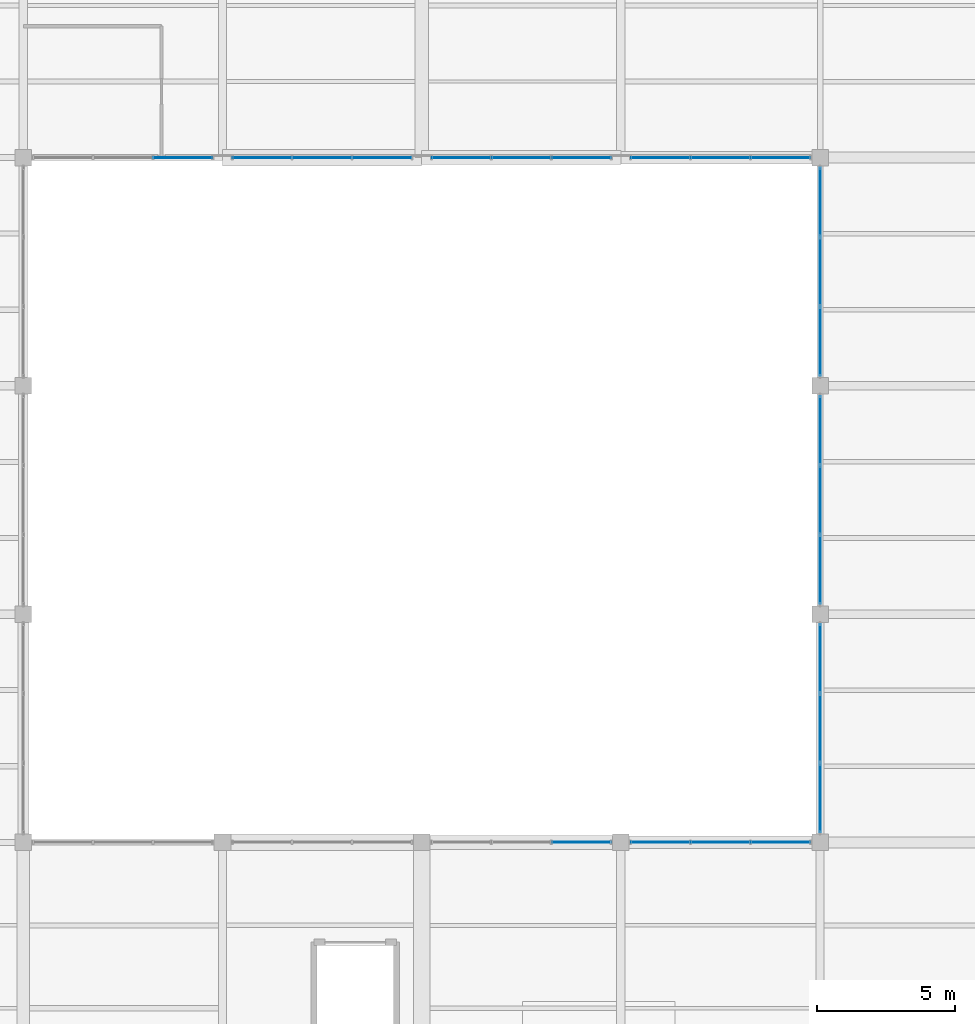
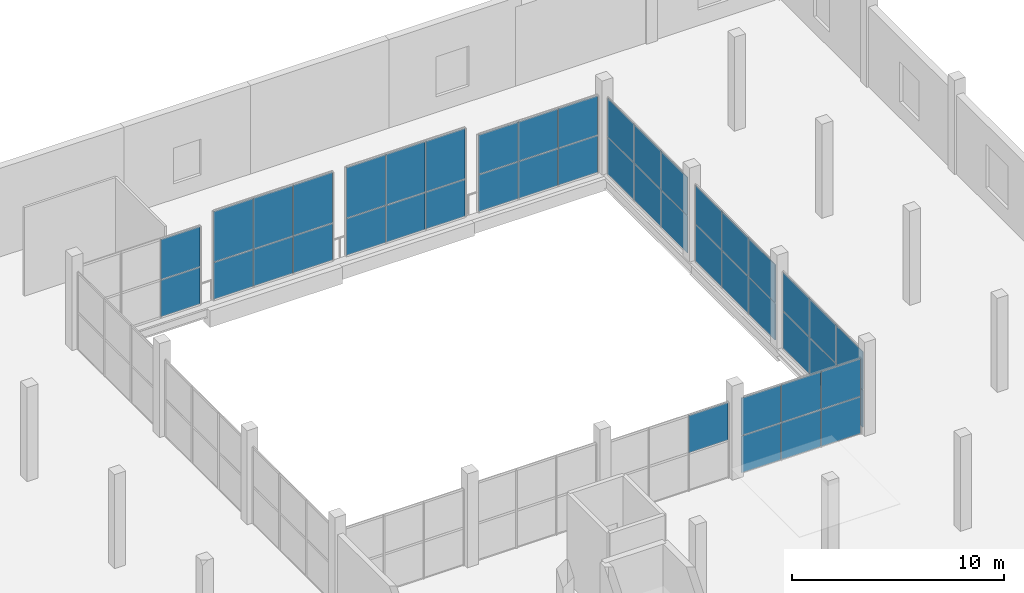
# One storey, part 105 of 141: 45 plates, 9 elements without a shape of their own.
"""IFC4 building model written with IfcOpenShell, lengths in metres."""

from ifc_helpers import new_model, si_unit, direction, frame, origin, origin_2d, place, context, subcontext, project, spatial, rectangle, extrude, material, layer, layer_set, type_object, element, aggregate, save


model = new_model("IFC4")

# Units and contexts
model_context = context("Model", 3, precision=1e-05, world=origin(), true_north=direction((0.0, 1.0)))
body_context = subcontext(model_context, "Body", "Model", "MODEL_VIEW")
ifc_project = project(units=[si_unit("LENGTHUNIT", "METRE"), si_unit("AREAUNIT", "SQUARE_METRE"), si_unit("VOLUMEUNIT", "CUBIC_METRE"), si_unit("PLANEANGLEUNIT", "RADIAN"), si_unit("MASSUNIT", "GRAM", prefix="KILO")], contexts=[model_context])

# Site, building, storey
site_placement = place(None, origin())
site = spatial("IfcSite", under=ifc_project, at=site_placement, CompositionType="ELEMENT")
building_placement = place(site_placement, origin())
building = spatial("IfcBuilding", under=site, at=building_placement, Name="Sundgate Opera House", CompositionType="ELEMENT")
storey_placement = place(building_placement, frame((0.0, 0.0, 11.39990234375)))
storey = spatial("IfcBuildingStorey", under=building, at=storey_placement, Name="L02", CompositionType="ELEMENT", Elevation=11.39990234375)

# Curtain wall, plates
ifc_material_1 = material(Name="Anodized aluminium and low-iron glass", Category="aluminium")
ifc_layer_1 = layer(ifc_material_1, 0.159912109375)
ifc_layer_set_1 = layer_set([ifc_layer_1], Name="Anodized aluminium and low-iron glass")
curtain_wall_type = type_object("IfcCurtainWallType", Name="CW-STUDIO-DARK", PredefinedType="NOTDEFINED", material=ifc_layer_set_1)
curtain_wall_1_placement = place(storey_placement, origin())
curtain_wall_1 = element("IfcCurtainWall", 1, at=curtain_wall_1_placement, inside=storey, type_object=curtain_wall_type, Name="L02 Curtain Wall CW109", PredefinedType="NOTDEFINED")
ifc_material_2 = material(Name="Low-iron triple acoustic glazing", Category="glass")
ifc_layer_2 = layer(ifc_material_2, 0.035888671875)
ifc_layer_set_2 = layer_set([ifc_layer_2], Name="Low-iron triple acoustic glazing")
plate_type = type_object("IfcPlateType", Name="CWP-CLEAR-36", PredefinedType="CURTAIN_PANEL", material=ifc_layer_set_2)
plate_1_placement = place(storey_placement, frame((129.966552734375, 111.75, 0.02001953125), z_axis=(0.0, 0.0, 1.0), x_axis=(-1.0, 0.0, 0.0)))
plate_1 = element("IfcPlate", 2, at=plate_1_placement, type_object=plate_type, Name="CW109 Panel 1", PredefinedType="CURTAIN_PANEL", context=body_context, shape_type="SweptSolid", body=[
    extrude(rectangle(XDim=2.126708984375, YDim=0.035888671875, at=origin_2d()), origin(), (0.0, 0.0, 1.0), 2.110107421875),
])
plate_2_placement = place(storey_placement, frame((129.966552734375, 111.75, 2.170166015625), z_axis=(0.0, 0.0, 1.0), x_axis=(-1.0, 0.0, 0.0)))
plate_2 = element("IfcPlate", 3, at=plate_2_placement, type_object=plate_type, Name="CW109 Panel 2", PredefinedType="CURTAIN_PANEL", context=body_context, shape_type="SweptSolid", body=[
    extrude(rectangle(XDim=2.126708984375, YDim=0.035888671875, at=origin_2d()), origin(), (0.0, 0.0, 1.0), 2.294921875),
])
aggregate(curtain_wall_1, [plate_1, plate_2])

curtain_wall_2_placement = place(storey_placement, origin())
curtain_wall_2 = element("IfcCurtainWall", 4, at=curtain_wall_2_placement, inside=storey, type_object=curtain_wall_type, Name="L02 Curtain Wall CW111", PredefinedType="NOTDEFINED")
plate_3_placement = place(storey_placement, frame((137.166748046875, 111.75, 0.02001953125), z_axis=(0.0, 0.0, 1.0), x_axis=(-1.0, 0.0, 0.0)))
plate_3 = element("IfcPlate", 5, at=plate_3_placement, type_object=plate_type, Name="CW111 Panel 1", PredefinedType="CURTAIN_PANEL", context=body_context, shape_type="SweptSolid", body=[
    extrude(rectangle(XDim=2.126708984375, YDim=0.035888671875, at=origin_2d()), origin(), (0.0, 0.0, 1.0), 2.110107421875),
])
plate_4_placement = place(storey_placement, frame((137.166748046875, 111.75, 2.170166015625), z_axis=(0.0, 0.0, 1.0), x_axis=(-1.0, 0.0, 0.0)))
plate_4 = element("IfcPlate", 6, at=plate_4_placement, type_object=plate_type, Name="CW111 Panel 2", PredefinedType="CURTAIN_PANEL", context=body_context, shape_type="SweptSolid", body=[
    extrude(rectangle(XDim=2.126708984375, YDim=0.035888671875, at=origin_2d()), origin(), (0.0, 0.0, 1.0), 2.89501953125),
])
plate_5_placement = place(storey_placement, frame((135.0, 111.75, 0.02001953125), z_axis=(0.0, 0.0, 1.0), x_axis=(-1.0, 0.0, 0.0)))
plate_5 = element("IfcPlate", 7, at=plate_5_placement, type_object=plate_type, Name="CW111 Panel 3", PredefinedType="CURTAIN_PANEL", context=body_context, shape_type="SweptSolid", body=[
    extrude(rectangle(XDim=2.126708984375, YDim=0.035888671875, at=origin_2d()), origin(), (0.0, 0.0, 1.0), 2.110107421875),
])
plate_6_placement = place(storey_placement, frame((135.0, 111.75, 2.170166015625), z_axis=(0.0, 0.0, 1.0), x_axis=(-1.0, 0.0, 0.0)))
plate_6 = element("IfcPlate", 8, at=plate_6_placement, type_object=plate_type, Name="CW111 Panel 4", PredefinedType="CURTAIN_PANEL", context=body_context, shape_type="SweptSolid", body=[
    extrude(rectangle(XDim=2.126708984375, YDim=0.035888671875, at=origin_2d()), origin(), (0.0, 0.0, 1.0), 2.89501953125),
])
plate_7_placement = place(storey_placement, frame((132.833251953125, 111.75, 0.02001953125), z_axis=(0.0, 0.0, 1.0), x_axis=(-1.0, 0.0, 0.0)))
plate_7 = element("IfcPlate", 9, at=plate_7_placement, type_object=plate_type, Name="CW111 Panel 5", PredefinedType="CURTAIN_PANEL", context=body_context, shape_type="SweptSolid", body=[
    extrude(rectangle(XDim=2.126708984375, YDim=0.035888671875, at=origin_2d()), origin(), (0.0, 0.0, 1.0), 2.110107421875),
])
plate_8_placement = place(storey_placement, frame((132.833251953125, 111.75, 2.170166015625), z_axis=(0.0, 0.0, 1.0), x_axis=(-1.0, 0.0, 0.0)))
plate_8 = element("IfcPlate", 10, at=plate_8_placement, type_object=plate_type, Name="CW111 Panel 6", PredefinedType="CURTAIN_PANEL", context=body_context, shape_type="SweptSolid", body=[
    extrude(rectangle(XDim=2.126708984375, YDim=0.035888671875, at=origin_2d()), origin(), (0.0, 0.0, 1.0), 2.89501953125),
])
aggregate(curtain_wall_2, [plate_3, plate_4, plate_5, plate_6, plate_7, plate_8])

# Curtain wall, plate
curtain_wall_3_placement = place(storey_placement, origin())
curtain_wall_3 = element("IfcCurtainWall", 11, at=curtain_wall_3_placement, inside=storey, type_object=curtain_wall_type, Name="L02 Curtain Wall CW112", PredefinedType="NOTDEFINED")
plate_9_placement = place(storey_placement, frame((144.36669921875, 87.0, 2.170166015625), z_axis=(0.0, 0.0, 1.0), x_axis=(1.0, 0.0, 0.0)))
plate_9 = element("IfcPlate", 12, at=plate_9_placement, type_object=plate_type, Name="CW112 Panel 6", PredefinedType="CURTAIN_PANEL", context=body_context, shape_type="SweptSolid", body=[
    extrude(rectangle(XDim=2.126708984375, YDim=0.035888671875, at=origin_2d()), origin(), (0.0, 0.0, 1.0), 2.14501953125),
])
aggregate(curtain_wall_3, [plate_9])

# Curtain wall, plates
curtain_wall_4_placement = place(storey_placement, origin())
curtain_wall_4 = element("IfcCurtainWall", 13, at=curtain_wall_4_placement, inside=storey, type_object=curtain_wall_type, Name="L02 Curtain Wall CW113", PredefinedType="NOTDEFINED")
plate_10_placement = place(storey_placement, frame((144.36669921875, 111.75, 0.02001953125), z_axis=(0.0, 0.0, 1.0), x_axis=(-1.0, 0.0, 0.0)))
plate_10 = element("IfcPlate", 14, at=plate_10_placement, type_object=plate_type, Name="CW113 Panel 1", PredefinedType="CURTAIN_PANEL", context=body_context, shape_type="SweptSolid", body=[
    extrude(rectangle(XDim=2.126708984375, YDim=0.035888671875, at=origin_2d()), origin(), (0.0, 0.0, 1.0), 2.110107421875),
])
plate_11_placement = place(storey_placement, frame((144.36669921875, 111.75, 2.170166015625), z_axis=(0.0, 0.0, 1.0), x_axis=(-1.0, 0.0, 0.0)))
plate_11 = element("IfcPlate", 15, at=plate_11_placement, type_object=plate_type, Name="CW113 Panel 2", PredefinedType="CURTAIN_PANEL", context=body_context, shape_type="SweptSolid", body=[
    extrude(rectangle(XDim=2.126708984375, YDim=0.035888671875, at=origin_2d()), origin(), (0.0, 0.0, 1.0), 2.89501953125),
])
plate_12_placement = place(storey_placement, frame((142.199951171875, 111.75, 0.02001953125), z_axis=(0.0, 0.0, 1.0), x_axis=(-1.0, 0.0, 0.0)))
plate_12 = element("IfcPlate", 16, at=plate_12_placement, type_object=plate_type, Name="CW113 Panel 3", PredefinedType="CURTAIN_PANEL", context=body_context, shape_type="SweptSolid", body=[
    extrude(rectangle(XDim=2.126708984375, YDim=0.035888671875, at=origin_2d()), origin(), (0.0, 0.0, 1.0), 2.110107421875),
])
plate_13_placement = place(storey_placement, frame((142.199951171875, 111.75, 2.170166015625), z_axis=(0.0, 0.0, 1.0), x_axis=(-1.0, 0.0, 0.0)))
plate_13 = element("IfcPlate", 17, at=plate_13_placement, type_object=plate_type, Name="CW113 Panel 4", PredefinedType="CURTAIN_PANEL", context=body_context, shape_type="SweptSolid", body=[
    extrude(rectangle(XDim=2.126708984375, YDim=0.035888671875, at=origin_2d()), origin(), (0.0, 0.0, 1.0), 2.89501953125),
])
plate_14_placement = place(storey_placement, frame((140.033447265625, 111.75, 0.02001953125), z_axis=(0.0, 0.0, 1.0), x_axis=(-1.0, 0.0, 0.0)))
plate_14 = element("IfcPlate", 18, at=plate_14_placement, type_object=plate_type, Name="CW113 Panel 5", PredefinedType="CURTAIN_PANEL", context=body_context, shape_type="SweptSolid", body=[
    extrude(rectangle(XDim=2.126708984375, YDim=0.035888671875, at=origin_2d()), origin(), (0.0, 0.0, 1.0), 2.110107421875),
])
plate_15_placement = place(storey_placement, frame((140.033447265625, 111.75, 2.170166015625), z_axis=(0.0, 0.0, 1.0), x_axis=(-1.0, 0.0, 0.0)))
plate_15 = element("IfcPlate", 19, at=plate_15_placement, type_object=plate_type, Name="CW113 Panel 6", PredefinedType="CURTAIN_PANEL", context=body_context, shape_type="SweptSolid", body=[
    extrude(rectangle(XDim=2.126708984375, YDim=0.035888671875, at=origin_2d()), origin(), (0.0, 0.0, 1.0), 2.89501953125),
])
aggregate(curtain_wall_4, [plate_10, plate_11, plate_12, plate_13, plate_14, plate_15])

curtain_wall_5_placement = place(storey_placement, origin())
curtain_wall_5 = element("IfcCurtainWall", 20, at=curtain_wall_5_placement, inside=storey, type_object=curtain_wall_type, Name="L02 Curtain Wall CW114", PredefinedType="NOTDEFINED")
plate_16_placement = place(storey_placement, frame((147.2333984375, 87.0, 0.02001953125), z_axis=(0.0, 0.0, 1.0), x_axis=(1.0, 0.0, 0.0)))
plate_16 = element("IfcPlate", 21, at=plate_16_placement, type_object=plate_type, Name="CW114 Panel 1", PredefinedType="CURTAIN_PANEL", context=body_context, shape_type="SweptSolid", body=[
    extrude(rectangle(XDim=2.126708984375, YDim=0.035888671875, at=origin_2d()), origin(), (0.0, 0.0, 1.0), 2.110107421875),
])
plate_17_placement = place(storey_placement, frame((147.2333984375, 87.0, 2.170166015625), z_axis=(0.0, 0.0, 1.0), x_axis=(1.0, 0.0, 0.0)))
plate_17 = element("IfcPlate", 22, at=plate_17_placement, type_object=plate_type, Name="CW114 Panel 2", PredefinedType="CURTAIN_PANEL", context=body_context, shape_type="SweptSolid", body=[
    extrude(rectangle(XDim=2.126708984375, YDim=0.035888671875, at=origin_2d()), origin(), (0.0, 0.0, 1.0), 2.14501953125),
])
plate_18_placement = place(storey_placement, frame((149.39990234375, 87.0, 0.02001953125), z_axis=(0.0, 0.0, 1.0), x_axis=(1.0, 0.0, 0.0)))
plate_18 = element("IfcPlate", 23, at=plate_18_placement, type_object=plate_type, Name="CW114 Panel 3", PredefinedType="CURTAIN_PANEL", context=body_context, shape_type="SweptSolid", body=[
    extrude(rectangle(XDim=2.126708984375, YDim=0.035888671875, at=origin_2d()), origin(), (0.0, 0.0, 1.0), 2.110107421875),
])
plate_19_placement = place(storey_placement, frame((149.39990234375, 87.0, 2.170166015625), z_axis=(0.0, 0.0, 1.0), x_axis=(1.0, 0.0, 0.0)))
plate_19 = element("IfcPlate", 24, at=plate_19_placement, type_object=plate_type, Name="CW114 Panel 4", PredefinedType="CURTAIN_PANEL", context=body_context, shape_type="SweptSolid", body=[
    extrude(rectangle(XDim=2.126708984375, YDim=0.035888671875, at=origin_2d()), origin(), (0.0, 0.0, 1.0), 2.14501953125),
])
plate_20_placement = place(storey_placement, frame((151.566650390625, 87.0, 0.02001953125), z_axis=(0.0, 0.0, 1.0), x_axis=(1.0, 0.0, 0.0)))
plate_20 = element("IfcPlate", 25, at=plate_20_placement, type_object=plate_type, Name="CW114 Panel 5", PredefinedType="CURTAIN_PANEL", context=body_context, shape_type="SweptSolid", body=[
    extrude(rectangle(XDim=2.126708984375, YDim=0.035888671875, at=origin_2d()), origin(), (0.0, 0.0, 1.0), 2.110107421875),
])
plate_21_placement = place(storey_placement, frame((151.566650390625, 87.0, 2.170166015625), z_axis=(0.0, 0.0, 1.0), x_axis=(1.0, 0.0, 0.0)))
plate_21 = element("IfcPlate", 26, at=plate_21_placement, type_object=plate_type, Name="CW114 Panel 6", PredefinedType="CURTAIN_PANEL", context=body_context, shape_type="SweptSolid", body=[
    extrude(rectangle(XDim=2.126708984375, YDim=0.035888671875, at=origin_2d()), origin(), (0.0, 0.0, 1.0), 2.14501953125),
])
aggregate(curtain_wall_5, [plate_16, plate_17, plate_18, plate_19, plate_20, plate_21])

curtain_wall_6_placement = place(storey_placement, origin())
curtain_wall_6 = element("IfcCurtainWall", 27, at=curtain_wall_6_placement, inside=storey, type_object=curtain_wall_type, Name="L02 Curtain Wall CW115", PredefinedType="NOTDEFINED")
plate_22_placement = place(storey_placement, frame((151.566650390625, 111.75, 0.02001953125), z_axis=(0.0, 0.0, 1.0), x_axis=(-1.0, 0.0, 0.0)))
plate_22 = element("IfcPlate", 28, at=plate_22_placement, type_object=plate_type, Name="CW115 Panel 1", PredefinedType="CURTAIN_PANEL", context=body_context, shape_type="SweptSolid", body=[
    extrude(rectangle(XDim=2.126708984375, YDim=0.035888671875, at=origin_2d()), origin(), (0.0, 0.0, 1.0), 2.110107421875),
])
plate_23_placement = place(storey_placement, frame((151.566650390625, 111.75, 2.169921875), z_axis=(0.0, 0.0, 1.0), x_axis=(-1.0, 0.0, 0.0)))
plate_23 = element("IfcPlate", 29, at=plate_23_placement, type_object=plate_type, Name="CW115 Panel 2", PredefinedType="CURTAIN_PANEL", context=body_context, shape_type="SweptSolid", body=[
    extrude(rectangle(XDim=2.126708984375, YDim=0.035888671875, at=origin_2d()), origin(), (0.0, 0.0, 1.0), 2.2451171875),
])
plate_24_placement = place(storey_placement, frame((149.39990234375, 111.75, 0.02001953125), z_axis=(0.0, 0.0, 1.0), x_axis=(-1.0, 0.0, 0.0)))
plate_24 = element("IfcPlate", 30, at=plate_24_placement, type_object=plate_type, Name="CW115 Panel 3", PredefinedType="CURTAIN_PANEL", context=body_context, shape_type="SweptSolid", body=[
    extrude(rectangle(XDim=2.126708984375, YDim=0.035888671875, at=origin_2d()), origin(), (0.0, 0.0, 1.0), 2.110107421875),
])
plate_25_placement = place(storey_placement, frame((149.39990234375, 111.75, 2.169921875), z_axis=(0.0, 0.0, 1.0), x_axis=(-1.0, 0.0, 0.0)))
plate_25 = element("IfcPlate", 31, at=plate_25_placement, type_object=plate_type, Name="CW115 Panel 4", PredefinedType="CURTAIN_PANEL", context=body_context, shape_type="SweptSolid", body=[
    extrude(rectangle(XDim=2.126708984375, YDim=0.035888671875, at=origin_2d()), origin(), (0.0, 0.0, 1.0), 2.2451171875),
])
plate_26_placement = place(storey_placement, frame((147.2333984375, 111.75, 0.02001953125), z_axis=(0.0, 0.0, 1.0), x_axis=(-1.0, 0.0, 0.0)))
plate_26 = element("IfcPlate", 32, at=plate_26_placement, type_object=plate_type, Name="CW115 Panel 5", PredefinedType="CURTAIN_PANEL", context=body_context, shape_type="SweptSolid", body=[
    extrude(rectangle(XDim=2.126708984375, YDim=0.035888671875, at=origin_2d()), origin(), (0.0, 0.0, 1.0), 2.110107421875),
])
plate_27_placement = place(storey_placement, frame((147.2333984375, 111.75, 2.169921875), z_axis=(0.0, 0.0, 1.0), x_axis=(-1.0, 0.0, 0.0)))
plate_27 = element("IfcPlate", 33, at=plate_27_placement, type_object=plate_type, Name="CW115 Panel 6", PredefinedType="CURTAIN_PANEL", context=body_context, shape_type="SweptSolid", body=[
    extrude(rectangle(XDim=2.126708984375, YDim=0.035888671875, at=origin_2d()), origin(), (0.0, 0.0, 1.0), 2.2451171875),
])
aggregate(curtain_wall_6, [plate_22, plate_23, plate_24, plate_25, plate_26, plate_27])

curtain_wall_7_placement = place(storey_placement, origin())
curtain_wall_7 = element("IfcCurtainWall", 34, at=curtain_wall_7_placement, inside=storey, type_object=curtain_wall_type, Name="L02 Curtain Wall CW117", PredefinedType="NOTDEFINED")
plate_28_placement = place(storey_placement, frame((153.0, 93.6416015625, 0.02001953125), z_axis=(0.0, 0.0, 1.0), x_axis=(0.0, -1.0, 0.0)))
plate_28 = element("IfcPlate", 35, at=plate_28_placement, type_object=plate_type, Name="CW117 Panel 1", PredefinedType="CURTAIN_PANEL", context=body_context, shape_type="SweptSolid", body=[
    extrude(rectangle(XDim=2.4765625, YDim=0.035888671875, at=origin_2d()), origin(), (0.0, 0.0, 1.0), 2.110107421875),
])
plate_29_placement = place(storey_placement, frame((153.0, 93.6416015625, 2.169921875), z_axis=(0.0, 0.0, 1.0), x_axis=(0.0, -1.0, 0.0)))
plate_29 = element("IfcPlate", 36, at=plate_29_placement, type_object=plate_type, Name="CW117 Panel 2", PredefinedType="CURTAIN_PANEL", context=body_context, shape_type="SweptSolid", body=[
    extrude(rectangle(XDim=2.4765625, YDim=0.035888671875, at=origin_2d()), origin(), (0.0, 0.0, 1.0), 2.195068359375),
])
plate_30_placement = place(storey_placement, frame((153.0, 91.125, 0.02001953125), z_axis=(0.0, 0.0, 1.0), x_axis=(0.0, -1.0, 0.0)))
plate_30 = element("IfcPlate", 37, at=plate_30_placement, type_object=plate_type, Name="CW117 Panel 3", PredefinedType="CURTAIN_PANEL", context=body_context, shape_type="SweptSolid", body=[
    extrude(rectangle(XDim=2.4765625, YDim=0.035888671875, at=origin_2d()), origin(), (0.0, 0.0, 1.0), 2.110107421875),
])
plate_31_placement = place(storey_placement, frame((153.0, 91.125, 2.169921875), z_axis=(0.0, 0.0, 1.0), x_axis=(0.0, -1.0, 0.0)))
plate_31 = element("IfcPlate", 38, at=plate_31_placement, type_object=plate_type, Name="CW117 Panel 4", PredefinedType="CURTAIN_PANEL", context=body_context, shape_type="SweptSolid", body=[
    extrude(rectangle(XDim=2.4765625, YDim=0.035888671875, at=origin_2d()), origin(), (0.0, 0.0, 1.0), 2.195068359375),
])
plate_32_placement = place(storey_placement, frame((153.0, 88.6083984375, 0.02001953125), z_axis=(0.0, 0.0, 1.0), x_axis=(0.0, -1.0, 0.0)))
plate_32 = element("IfcPlate", 39, at=plate_32_placement, type_object=plate_type, Name="CW117 Panel 5", PredefinedType="CURTAIN_PANEL", context=body_context, shape_type="SweptSolid", body=[
    extrude(rectangle(XDim=2.4765625, YDim=0.035888671875, at=origin_2d()), origin(), (0.0, 0.0, 1.0), 2.110107421875),
])
plate_33_placement = place(storey_placement, frame((153.0, 88.6083984375, 2.169921875), z_axis=(0.0, 0.0, 1.0), x_axis=(0.0, -1.0, 0.0)))
plate_33 = element("IfcPlate", 40, at=plate_33_placement, type_object=plate_type, Name="CW117 Panel 6", PredefinedType="CURTAIN_PANEL", context=body_context, shape_type="SweptSolid", body=[
    extrude(rectangle(XDim=2.4765625, YDim=0.035888671875, at=origin_2d()), origin(), (0.0, 0.0, 1.0), 2.195068359375),
])
aggregate(curtain_wall_7, [plate_28, plate_29, plate_30, plate_31, plate_32, plate_33])

curtain_wall_8_placement = place(storey_placement, origin())
curtain_wall_8 = element("IfcCurtainWall", 41, at=curtain_wall_8_placement, inside=storey, type_object=curtain_wall_type, Name="L02 Curtain Wall CW119", PredefinedType="NOTDEFINED")
plate_34_placement = place(storey_placement, frame((153.0, 101.8916015625, 0.02001953125), z_axis=(0.0, 0.0, 1.0), x_axis=(0.0, -1.0, 0.0)))
plate_34 = element("IfcPlate", 42, at=plate_34_placement, type_object=plate_type, Name="CW119 Panel 1", PredefinedType="CURTAIN_PANEL", context=body_context, shape_type="SweptSolid", body=[
    extrude(rectangle(XDim=2.4765625, YDim=0.035888671875, at=origin_2d()), origin(), (0.0, 0.0, 1.0), 2.110107421875),
])
plate_35_placement = place(storey_placement, frame((153.0, 101.8916015625, 2.169921875), z_axis=(0.0, 0.0, 1.0), x_axis=(0.0, -1.0, 0.0)))
plate_35 = element("IfcPlate", 43, at=plate_35_placement, type_object=plate_type, Name="CW119 Panel 2", PredefinedType="CURTAIN_PANEL", context=body_context, shape_type="SweptSolid", body=[
    extrude(rectangle(XDim=2.4765625, YDim=0.035888671875, at=origin_2d()), origin(), (0.0, 0.0, 1.0), 2.195068359375),
])
plate_36_placement = place(storey_placement, frame((153.0, 99.375, 0.02001953125), z_axis=(0.0, 0.0, 1.0), x_axis=(0.0, -1.0, 0.0)))
plate_36 = element("IfcPlate", 44, at=plate_36_placement, type_object=plate_type, Name="CW119 Panel 3", PredefinedType="CURTAIN_PANEL", context=body_context, shape_type="SweptSolid", body=[
    extrude(rectangle(XDim=2.4765625, YDim=0.035888671875, at=origin_2d()), origin(), (0.0, 0.0, 1.0), 2.110107421875),
])
plate_37_placement = place(storey_placement, frame((153.0, 99.375, 2.169921875), z_axis=(0.0, 0.0, 1.0), x_axis=(0.0, -1.0, 0.0)))
plate_37 = element("IfcPlate", 45, at=plate_37_placement, type_object=plate_type, Name="CW119 Panel 4", PredefinedType="CURTAIN_PANEL", context=body_context, shape_type="SweptSolid", body=[
    extrude(rectangle(XDim=2.4765625, YDim=0.035888671875, at=origin_2d()), origin(), (0.0, 0.0, 1.0), 2.195068359375),
])
plate_38_placement = place(storey_placement, frame((153.0, 96.8583984375, 0.02001953125), z_axis=(0.0, 0.0, 1.0), x_axis=(0.0, -1.0, 0.0)))
plate_38 = element("IfcPlate", 46, at=plate_38_placement, type_object=plate_type, Name="CW119 Panel 5", PredefinedType="CURTAIN_PANEL", context=body_context, shape_type="SweptSolid", body=[
    extrude(rectangle(XDim=2.4765625, YDim=0.035888671875, at=origin_2d()), origin(), (0.0, 0.0, 1.0), 2.110107421875),
])
plate_39_placement = place(storey_placement, frame((153.0, 96.8583984375, 2.169921875), z_axis=(0.0, 0.0, 1.0), x_axis=(0.0, -1.0, 0.0)))
plate_39 = element("IfcPlate", 47, at=plate_39_placement, type_object=plate_type, Name="CW119 Panel 6", PredefinedType="CURTAIN_PANEL", context=body_context, shape_type="SweptSolid", body=[
    extrude(rectangle(XDim=2.4765625, YDim=0.035888671875, at=origin_2d()), origin(), (0.0, 0.0, 1.0), 2.195068359375),
])
aggregate(curtain_wall_8, [plate_34, plate_35, plate_36, plate_37, plate_38, plate_39])

curtain_wall_9_placement = place(storey_placement, origin())
curtain_wall_9 = element("IfcCurtainWall", 48, at=curtain_wall_9_placement, inside=storey, type_object=curtain_wall_type, Name="L02 Curtain Wall CW121", PredefinedType="NOTDEFINED")
plate_40_placement = place(storey_placement, frame((153.0, 110.1416015625, 0.02001953125), z_axis=(0.0, 0.0, 1.0), x_axis=(0.0, -1.0, 0.0)))
plate_40 = element("IfcPlate", 49, at=plate_40_placement, type_object=plate_type, Name="CW121 Panel 1", PredefinedType="CURTAIN_PANEL", context=body_context, shape_type="SweptSolid", body=[
    extrude(rectangle(XDim=2.4765625, YDim=0.035888671875, at=origin_2d()), origin(), (0.0, 0.0, 1.0), 2.110107421875),
])
plate_41_placement = place(storey_placement, frame((153.0, 110.1416015625, 2.169921875), z_axis=(0.0, 0.0, 1.0), x_axis=(0.0, -1.0, 0.0)))
plate_41 = element("IfcPlate", 50, at=plate_41_placement, type_object=plate_type, Name="CW121 Panel 2", PredefinedType="CURTAIN_PANEL", context=body_context, shape_type="SweptSolid", body=[
    extrude(rectangle(XDim=2.4765625, YDim=0.035888671875, at=origin_2d()), origin(), (0.0, 0.0, 1.0), 2.195068359375),
])
plate_42_placement = place(storey_placement, frame((153.0, 107.625, 0.02001953125), z_axis=(0.0, 0.0, 1.0), x_axis=(0.0, -1.0, 0.0)))
plate_42 = element("IfcPlate", 51, at=plate_42_placement, type_object=plate_type, Name="CW121 Panel 3", PredefinedType="CURTAIN_PANEL", context=body_context, shape_type="SweptSolid", body=[
    extrude(rectangle(XDim=2.4765625, YDim=0.035888671875, at=origin_2d()), origin(), (0.0, 0.0, 1.0), 2.110107421875),
])
plate_43_placement = place(storey_placement, frame((153.0, 107.625, 2.169921875), z_axis=(0.0, 0.0, 1.0), x_axis=(0.0, -1.0, 0.0)))
plate_43 = element("IfcPlate", 52, at=plate_43_placement, type_object=plate_type, Name="CW121 Panel 4", PredefinedType="CURTAIN_PANEL", context=body_context, shape_type="SweptSolid", body=[
    extrude(rectangle(XDim=2.4765625, YDim=0.035888671875, at=origin_2d()), origin(), (0.0, 0.0, 1.0), 2.195068359375),
])
plate_44_placement = place(storey_placement, frame((153.0, 105.1083984375, 0.02001953125), z_axis=(0.0, 0.0, 1.0), x_axis=(0.0, -1.0, 0.0)))
plate_44 = element("IfcPlate", 53, at=plate_44_placement, type_object=plate_type, Name="CW121 Panel 5", PredefinedType="CURTAIN_PANEL", context=body_context, shape_type="SweptSolid", body=[
    extrude(rectangle(XDim=2.4765625, YDim=0.035888671875, at=origin_2d()), origin(), (0.0, 0.0, 1.0), 2.110107421875),
])
plate_45_placement = place(storey_placement, frame((153.0, 105.1083984375, 2.169921875), z_axis=(0.0, 0.0, 1.0), x_axis=(0.0, -1.0, 0.0)))
plate_45 = element("IfcPlate", 54, at=plate_45_placement, type_object=plate_type, Name="CW121 Panel 6", PredefinedType="CURTAIN_PANEL", context=body_context, shape_type="SweptSolid", body=[
    extrude(rectangle(XDim=2.4765625, YDim=0.035888671875, at=origin_2d()), origin(), (0.0, 0.0, 1.0), 2.195068359375),
])
aggregate(curtain_wall_9, [plate_40, plate_41, plate_42, plate_43, plate_44, plate_45])

save(model, "model.ifc")
